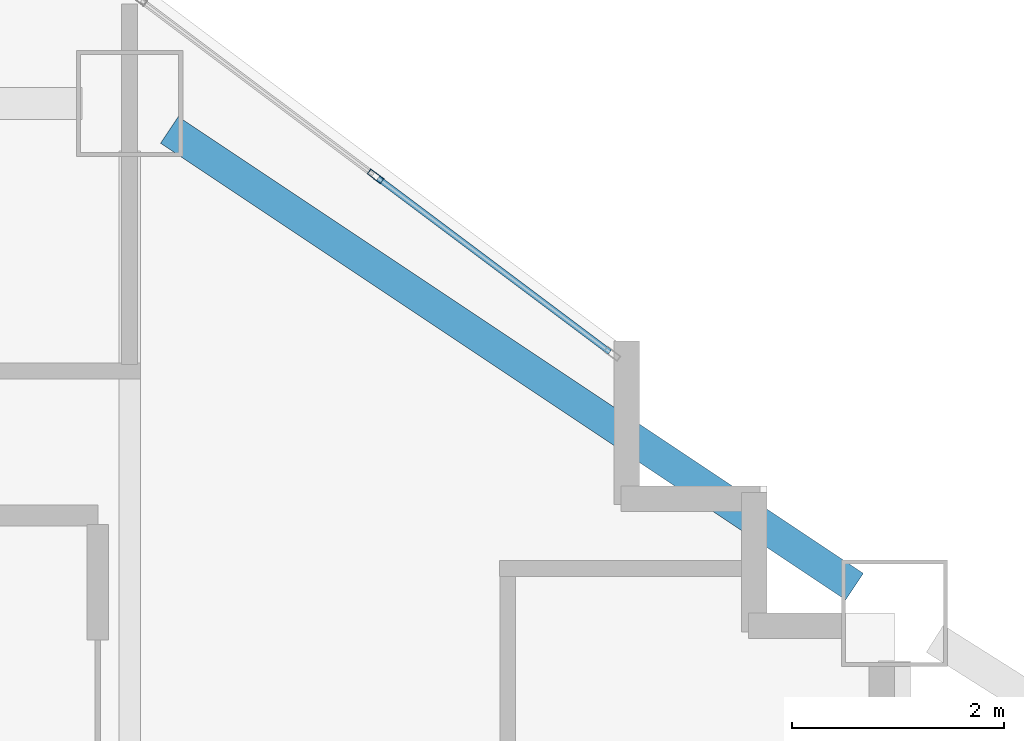
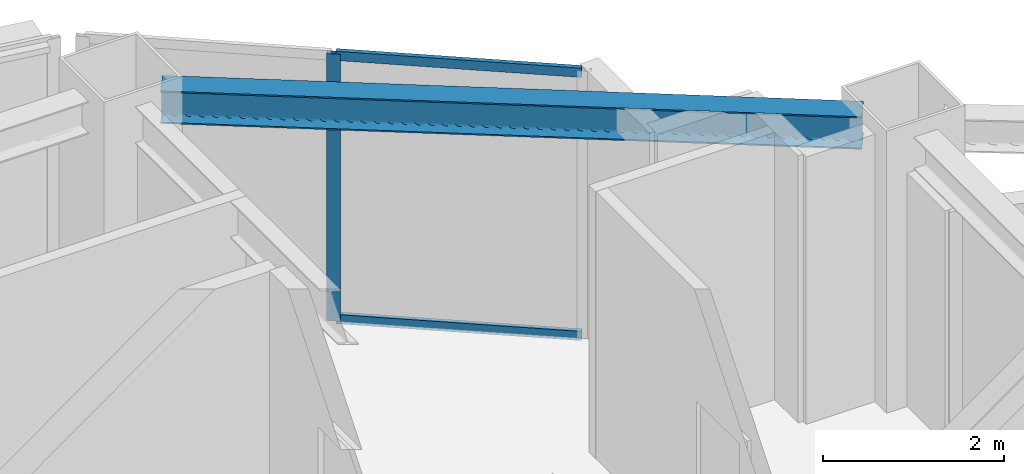
# One storey, part 3 of 14: 3 members, 1 beam, 1 element without a shape of its own.
"""IFC4 building model written with IfcOpenShell, lengths in metres."""

from ifc_helpers import new_model, si_unit, direction, frame, origin, origin_2d, place, context, subcontext, project, spatial, hollow_rectangle, i_section, extrude, material, layer, layer_set, material_profile, profile_set, type_object, element, aggregate, save


model = new_model("IFC4")

# Units and contexts
model_context = context("Model", 3, precision=1e-05, world=origin(), true_north=direction((0.0, 1.0)))
body_context = subcontext(model_context, "Body", "Model", "MODEL_VIEW")
ifc_project = project(units=[si_unit("LENGTHUNIT", "METRE"), si_unit("AREAUNIT", "SQUARE_METRE"), si_unit("VOLUMEUNIT", "CUBIC_METRE"), si_unit("PLANEANGLEUNIT", "RADIAN"), si_unit("MASSUNIT", "GRAM", prefix="KILO")], contexts=[model_context])

# Site, building, storey
site_placement = place(None, origin())
site = spatial("IfcSite", under=ifc_project, at=site_placement, CompositionType="ELEMENT")
building_placement = place(site_placement, origin())
building = spatial("IfcBuilding", under=site, at=building_placement, Name="Haolan Belvedere Tower", CompositionType="ELEMENT")
storey_placement = place(building_placement, frame((0.0, 0.0, 144.800048828125)))
storey = spatial("IfcBuildingStorey", under=building, at=storey_placement, Name="L36", CompositionType="ELEMENT", Elevation=144.800048828125)

# Beam
ifc_material_1 = material(Name="Steel Q355B", Category="steel")
ifc_material_profile_1 = material_profile(ifc_material_1, i_section(OverallWidth=0.300048828125, OverallDepth=0.43994140625, WebThickness=0.010986328125, FlangeThickness=0.01806640625, FilletRadius=0.02392578125, at=origin_2d()), Name="Steel Q355B")
ifc_profile_set_1 = profile_set([ifc_material_profile_1], Name="Steel Q355B")
beam_type = type_object("IfcBeamType", Name="BM-HM440x300x11x18", PredefinedType="SPANDREL", material=ifc_profile_set_1)
beam_placement = place(storey_placement, frame((45.974365234375, 50.150390625, 3.3798828125), z_axis=(0.832050294338, -0.554700196225, 0.0), x_axis=(0.554700196225, 0.832050294338, 0.0)))
element("IfcBeam", 1, at=beam_placement, inside=storey, type_object=beam_type, Name="L36 spandrel girder MC-T3-N2-MC-T3-NE", PredefinedType="SPANDREL", context=body_context, shape_type="SweptSolid", body=[
    extrude(i_section(OverallWidth=0.300048828125, OverallDepth=0.43994140625, WebThickness=0.010986328125, FlangeThickness=0.01806640625, FilletRadius=0.02392578125, at=origin_2d()), origin(), (0.0, 0.0, 1.0), 7.75341796875),
])

# Curtain wall, members
ifc_material_2 = material(Name="Anodised champagne-silver aluminium 6063-T6 and Low-E glass", Category="aluminium")
ifc_layer = layer(ifc_material_2, 0.155029296875, Name="Anodised champagne-silver aluminium 6063-T6 and Low-E glass")
ifc_layer_set = layer_set([ifc_layer], Name="Anodised champagne-silver aluminium 6063-T6 and Low-E glass")
curtain_wall_type = type_object("IfcCurtainWallType", Name="CW-SYS-03", PredefinedType="NOTDEFINED", material=ifc_layer_set)
curtain_wall_placement = place(storey_placement, origin())
curtain_wall = element("IfcCurtainWall", 2, at=curtain_wall_placement, inside=storey, type_object=curtain_wall_type, Name="L36 CW-SYS-03 ribbon curtain wall 26.1", PredefinedType="NOTDEFINED")
ifc_material_3 = material(Name="Anodised aluminium 6063-T6", Category="aluminium")
ifc_material_profile_2 = material_profile(ifc_material_3, hollow_rectangle(XDim=0.05810546875, YDim=0.155029296875, WallThickness=0.00390625, at=origin_2d()), Name="Anodised aluminium 6063-T6")
ifc_profile_set_2 = profile_set([ifc_material_profile_2], Name="Anodised aluminium 6063-T6")
member_type_1 = type_object("IfcMemberType", Name="CW-SYS-03-MUL", PredefinedType="MULLION", material=ifc_profile_set_2)
member_1_placement = place(storey_placement, frame((47.915771484375, 49.713134765625, 0.0), z_axis=(0.0, 0.0, 1.0), x_axis=(-0.599994316874, -0.800004262313, 0.0)))
member_1 = element("IfcMember", 3, at=member_1_placement, type_object=member_type_1, Name="CW-03 mullion 2", PredefinedType="MULLION", context=body_context, shape_type="SweptSolid", body=[
    extrude(hollow_rectangle(XDim=0.05810546875, YDim=0.155029296875, WallThickness=0.00390625, at=origin_2d()), origin(), (0.0, 0.0, 1.0), 3.599853515625),
])
ifc_material_profile_3 = material_profile(ifc_material_3, hollow_rectangle(XDim=0.053955078125, YDim=0.125, WallThickness=0.00390625, at=origin_2d()), Name="Anodised aluminium 6063-T6")
ifc_profile_set_3 = profile_set([ifc_material_profile_3], Name="Anodised aluminium 6063-T6")
member_type_2 = type_object("IfcMemberType", Name="CW-SYS-03-TRN", PredefinedType="USERDEFINED", material=ifc_profile_set_3)
member_2_placement = place(storey_placement, frame((50.12158203125, 48.058837890625, 0.02685546875), z_axis=(-0.8, 0.6, 0.0), x_axis=(-0.6, -0.8, 0.0)))
member_2 = element("IfcMember", 4, at=member_2_placement, type_object=member_type_2, Name="CW-03 transom 1.1", ObjectType="TRANSOM", PredefinedType="USERDEFINED", context=body_context, shape_type="SweptSolid", body=[
    extrude(hollow_rectangle(XDim=0.053955078125, YDim=0.125, WallThickness=0.00390625, at=origin_2d()), origin(), (0.0, 0.0, 1.0), 2.728271484375),
])
member_3_placement = place(storey_placement, frame((50.12158203125, 48.058837890625, 3.572998046875), z_axis=(-0.8, 0.6, 0.0), x_axis=(-0.6, -0.8, 0.0)))
member_3 = element("IfcMember", 5, at=member_3_placement, type_object=member_type_2, Name="CW-03 transom 1.2", ObjectType="TRANSOM", PredefinedType="USERDEFINED", context=body_context, shape_type="SweptSolid", body=[
    extrude(hollow_rectangle(XDim=0.053955078125, YDim=0.125, WallThickness=0.00390625, at=origin_2d()), origin(), (0.0, 0.0, 1.0), 2.728271484375),
])
aggregate(curtain_wall, [member_1, member_2, member_3])

save(model, "model.ifc")
